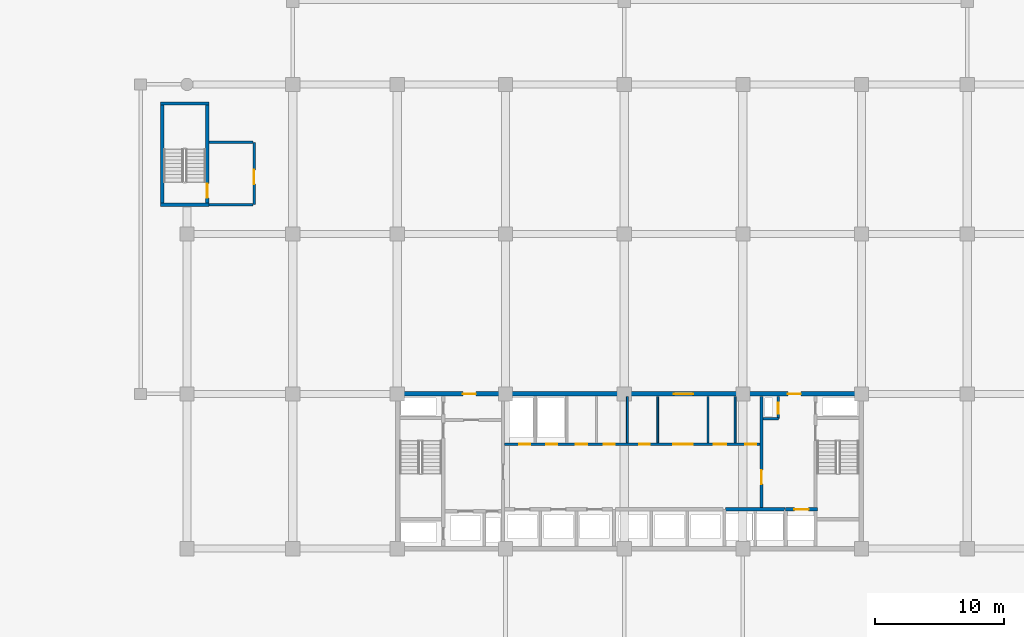
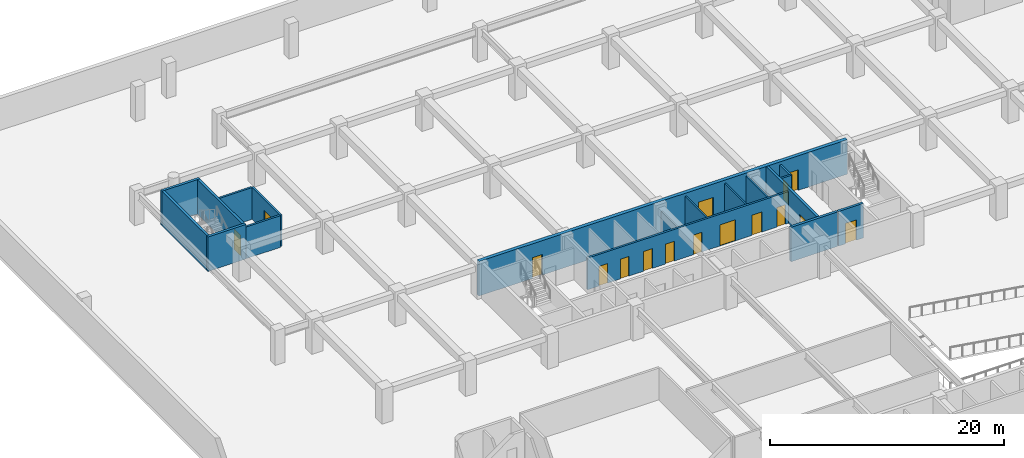
# One storey, part 10 of 22: 18 walls, 16 doors, 16 openings.
"""IFC4 building model written with IfcOpenShell, lengths in metres."""

from ifc_helpers import new_model, si_unit, direction, frame, frame_2d, origin, place, context, subcontext, project, spatial, rectangle, extrude, material, layer, layer_set, type_object, element, fill, save


model = new_model("IFC4")

# Units and contexts
model_context = context("Model", 3, precision=1e-05, world=origin(), true_north=direction((0.0, 1.0)))
body_context = subcontext(model_context, "Body", "Model", "MODEL_VIEW")
ifc_project = project(units=[si_unit("LENGTHUNIT", "METRE"), si_unit("AREAUNIT", "SQUARE_METRE"), si_unit("VOLUMEUNIT", "CUBIC_METRE"), si_unit("PLANEANGLEUNIT", "RADIAN"), si_unit("MASSUNIT", "GRAM", prefix="KILO")], contexts=[model_context])

# Site, building, storey
site_placement = place(None, origin())
site = spatial("IfcSite", under=ifc_project, at=site_placement, CompositionType="ELEMENT")
building_placement = place(site_placement, origin())
building = spatial("IfcBuilding", under=site, at=building_placement, Name="Korimba Cascade Residences", CompositionType="ELEMENT")
storey_placement = place(building_placement, frame((0.0, 0.0, -7.199951171875)))
storey = spatial("IfcBuildingStorey", under=building, at=storey_placement, Name="B02", CompositionType="ELEMENT", Elevation=-7.199951171875)

# Wall, openings, doors
ifc_material_1 = material(Name="Concrete C65/80", Category="concrete")
ifc_layer_1 = layer(ifc_material_1, 0.35009765625)
ifc_layer_set_1 = layer_set([ifc_layer_1], Name="Concrete C65/80")
wall_type_1 = type_object("IfcWallType", Name="WAL-CORE-350", PredefinedType="SHEAR", material=ifc_layer_set_1)
wall_1_placement = place(storey_placement, frame((75.949951171875, 67.199951171875, 0.0), z_axis=(0.0, 0.0, 1.0), x_axis=(1.0, 0.0, 0.0)))
wall_1 = element("IfcWall", 1, at=wall_1_placement, inside=storey, type_object=wall_type_1, Name="B02 Core Shear Wall CW-B02-T1-N", PredefinedType="SHEAR", context=body_context, shape_type="SweptSolid", body=[
    extrude(rectangle(XDim=36.300048828125, YDim=0.35009765625, at=frame_2d((18.14990234375, 0.0))), origin(), (0.0, 0.0, 1.0), 3.599853515625),
])
opening_1_placement = place(wall_1_placement, frame((5.25, 0.0, 0.0)))
opening_1 = element("IfcOpeningElement", 2, at=opening_1_placement, cuts=wall_1, Name="Opening D-FD5", PredefinedType="OPENING", context=body_context, shape_type="SweptSolid", body=[
    extrude(rectangle(XDim=1.0, YDim=2.14990234375, at=frame_2d((0.5, 1.074951171875))), frame((0.0, 0.18505859375, 0.0), z_axis=(0.0, -1.0, 0.0), x_axis=(1.0, 0.0, 0.0)), (0.0, 0.0, 1.0), 0.3701171875),
])
opening_2_placement = place(wall_1_placement, frame((21.60009765625, 0.0, 0.0)))
opening_2 = element("IfcOpeningElement", 3, at=opening_2_placement, cuts=wall_1, Name="Opening D-FD8", PredefinedType="OPENING", context=body_context, shape_type="SweptSolid", body=[
    extrude(rectangle(XDim=1.5, YDim=2.199951171875, at=frame_2d((0.75, 1.10009765625))), frame((0.0, 0.18505859375, 0.0), z_axis=(0.0, -1.0, 0.0), x_axis=(1.0, 0.0, 0.0)), (0.0, 0.0, 1.0), 0.3701171875),
])
opening_3_placement = place(wall_1_placement, frame((30.449951171875, 0.0, 0.0)))
opening_3 = element("IfcOpeningElement", 4, at=opening_3_placement, cuts=wall_1, Name="Opening D-FD5", PredefinedType="OPENING", context=body_context, shape_type="SweptSolid", body=[
    extrude(rectangle(XDim=1.0, YDim=2.14990234375, at=frame_2d((0.5, 1.074951171875))), frame((0.0, 0.18505859375, 0.0), z_axis=(0.0, -1.0, 0.0), x_axis=(1.0, 0.0, 0.0)), (0.0, 0.0, 1.0), 0.3701171875),
])
ifc_material_2 = material(Name="Fire-Rated Acoustic Timber Vestibule Door", Category="wood")
door_type_1 = type_object("IfcDoorType", Name="DR-FD90-1000", OperationType="NOTDEFINED", PredefinedType="DOOR", material=ifc_material_2)
door_1_placement = place(opening_1_placement, origin())
door_1 = element("IfcDoor", 5, at=door_1_placement, inside=storey, type_object=door_type_1, Name="B02 T1 West Core Vestibule Fire Door", OperationType="SINGLE_SWING_LEFT", OverallHeight=2.14990234375, OverallWidth=1.0, PredefinedType="DOOR", context=body_context, shape_type="SweptSolid", body=[
    extrude(rectangle(XDim=1.0, YDim=2.14990234375, at=frame_2d((0.5, 1.074951171875))), frame((0.0, 0.02490234375, 0.0), z_axis=(0.0, -1.0, 0.0), x_axis=(1.0, 0.0, 0.0)), (0.0, 0.0, 1.0), 0.050048828125),
])
fill(opening_1, door_1)
door_2_placement = place(opening_3_placement, origin())
door_2 = element("IfcDoor", 6, at=door_2_placement, inside=storey, type_object=door_type_1, Name="B02 T1 East Firefighting Vestibule Fire Door", OperationType="SINGLE_SWING_RIGHT", OverallHeight=2.14990234375, OverallWidth=1.0, PredefinedType="DOOR", context=body_context, shape_type="SweptSolid", body=[
    extrude(rectangle(XDim=1.0, YDim=2.14990234375, at=frame_2d((0.5, 1.074951171875))), frame((0.0, 0.02490234375, 0.0), z_axis=(0.0, -1.0, 0.0), x_axis=(1.0, 0.0, 0.0)), (0.0, 0.0, 1.0), 0.050048828125),
])
fill(opening_3, door_2)
ifc_material_3 = material(Name="Fire-Rated Glazed Lift Lobby Double Door", Category="glass")
door_type_2 = type_object("IfcDoorType", Name="DR-FD90-1500", OperationType="NOTDEFINED", PredefinedType="DOOR", material=ifc_material_3)
door_3_placement = place(opening_2_placement, origin())
door_3 = element("IfcDoor", 7, at=door_3_placement, inside=storey, type_object=door_type_2, Name="B02 T1 Lift Lobby Fire Door", OperationType="DOUBLE_DOOR_SINGLE_SWING", OverallHeight=2.199951171875, OverallWidth=1.5, PredefinedType="DOOR", context=body_context, shape_type="SweptSolid", body=[
    extrude(rectangle(XDim=1.5, YDim=2.199951171875, at=frame_2d((0.75, 1.10009765625))), frame((0.0, 0.02490234375, 0.0), z_axis=(0.0, -1.0, 0.0), x_axis=(1.0, 0.0, 0.0)), (0.0, 0.0, 1.0), 0.050048828125),
])
fill(opening_2, door_3)

# Walls
ifc_material_4 = material(Name="Insulated Acoustic Stud Partition", Category="gypsum")
ifc_layer_2 = layer(ifc_material_4, 0.14990234375)
ifc_layer_set_2 = layer_set([ifc_layer_2], Name="Insulated Acoustic Stud Partition")
wall_type_2 = type_object("IfcWallType", Name="WAL-PART-150", PredefinedType="PARTITIONING", material=ifc_layer_set_2)
wall_2_placement = place(storey_placement, frame((93.949951171875, 63.39990234375, 0.0), z_axis=(0.0, 0.0, 1.0), x_axis=(0.0, 1.0, 0.0)))
element("IfcWall", 8, at=wall_2_placement, inside=storey, type_object=wall_type_2, Name="B02 Partition Wall CW-B02-T1-CA1W2", PredefinedType="PARTITIONING", context=body_context, shape_type="SweptSolid", body=[
    extrude(rectangle(XDim=3.60009765625, YDim=0.14990234375, at=frame_2d((1.800048828125, 0.0))), origin(), (0.0, 0.0, 1.0), 2.550048828125),
])
for number, where, z_axis, x_axis, name in (
    (9, (102.300048828125, 63.39990234375, 0.0), (0.0, 0.0, 1.0), (0.0, 1.0, 0.0), "B02 Partition Wall CW-B02-T1-CA1E1"),
    (10, (96.300048828125, 63.39990234375, 0.0), (0.0, 0.0, 1.0), (0.0, 1.0, 0.0), "B02 Partition Wall CW-B02-T1-THW"),
    (11, (100.199951171875, 63.39990234375, 0.0), (0.0, 0.0, 1.0), (0.0, 1.0, 0.0), "B02 Partition Wall CW-B02-T1-THE"),
):
    element("IfcWall", number, at=place(storey_placement, frame(where, z_axis=z_axis, x_axis=x_axis)), inside=storey, type_object=wall_type_2, Name=name, PredefinedType="PARTITIONING", context=body_context, shape_type="SweptSolid", body=[
        extrude(rectangle(XDim=3.60009765625, YDim=0.14990234375, at=frame_2d((1.800048828125, 0.0))), origin(), (0.0, 0.0, 1.0), 3.300048828125),
    ])

# Wall, openings, doors
ifc_material_5 = material(Name="Concrete C40/50", Category="concrete")
ifc_layer_3 = layer(ifc_material_5, 0.199951171875)
ifc_layer_set_3 = layer_set([ifc_layer_3], Name="Concrete C40/50")
wall_type_3 = type_object("IfcWallType", Name="WAL-PART-200", PredefinedType="PARTITIONING", material=ifc_layer_set_3)
wall_3_placement = place(storey_placement, frame((84.419921875, 63.300048828125, 0.0), z_axis=(0.0, 0.0, 1.0), x_axis=(1.0, 0.0, 0.0)))
wall_3 = element("IfcWall", 12, at=wall_3_placement, inside=storey, type_object=wall_type_3, Name="B02 Partition Wall CW-B02-T1-SRVROW", PredefinedType="PARTITIONING", context=body_context, shape_type="SweptSolid", body=[
    extrude(rectangle(XDim=19.830078125, YDim=0.199951171875, at=frame_2d((9.9150390625, 0.0))), origin(), (0.0, 0.0, 1.0), 3.300048828125),
])
opening_4_placement = place(wall_3_placement, frame((1.14990234375, 0.0, 0.0)))
opening_4 = element("IfcOpeningElement", 13, at=opening_4_placement, cuts=wall_3, Name="Opening D-RS1", PredefinedType="OPENING", context=body_context, shape_type="SweptSolid", body=[
    extrude(rectangle(XDim=0.85009765625, YDim=2.050048828125, at=frame_2d((0.425048828125, 1.02490234375))), frame((0.0, 0.10986328125, 0.0), z_axis=(0.0, -1.0, 0.0), x_axis=(1.0, 0.0, 0.0)), (0.0, 0.0, 1.0), 0.219970703125),
])
opening_5_placement = place(wall_3_placement, frame((3.25, 0.0, 0.0)))
opening_5 = element("IfcOpeningElement", 14, at=opening_5_placement, cuts=wall_3, Name="Opening D-RS1", PredefinedType="OPENING", context=body_context, shape_type="SweptSolid", body=[
    extrude(rectangle(XDim=0.85009765625, YDim=2.050048828125, at=frame_2d((0.425048828125, 1.02490234375))), frame((0.0, 0.10986328125, 0.0), z_axis=(0.0, -1.0, 0.0), x_axis=(1.0, 0.0, 0.0)), (0.0, 0.0, 1.0), 0.219970703125),
])
opening_6_placement = place(wall_3_placement, frame((13.080078125, 0.0, 0.0)))
opening_6 = element("IfcOpeningElement", 15, at=opening_6_placement, cuts=wall_3, Name="Opening D-FD8", PredefinedType="OPENING", context=body_context, shape_type="SweptSolid", body=[
    extrude(rectangle(XDim=1.5, YDim=2.199951171875, at=frame_2d((0.75, 1.10009765625))), frame((0.0, 0.10986328125, 0.0), z_axis=(0.0, -1.0, 0.0), x_axis=(1.0, 0.0, 0.0)), (0.0, 0.0, 1.0), 0.219970703125),
])
opening_7_placement = place(wall_3_placement, frame((5.530029296875, 0.0, 0.0)))
opening_7 = element("IfcOpeningElement", 16, at=opening_7_placement, cuts=wall_3, Name="Opening D-IN2", PredefinedType="OPENING", context=body_context, shape_type="SweptSolid", body=[
    extrude(rectangle(XDim=0.8798828125, YDim=2.06005859375, at=frame_2d((0.43994140625, 1.030029296875))), frame((0.0, 0.10986328125, 0.0), z_axis=(0.0, -1.0, 0.0), x_axis=(1.0, 0.0, 0.0)), (0.0, 0.0, 1.0), 0.219970703125),
])
opening_8_placement = place(wall_3_placement, frame((7.679931640625, 0.0, 0.0)))
opening_8 = element("IfcOpeningElement", 17, at=opening_8_placement, cuts=wall_3, Name="Opening D-IN2", PredefinedType="OPENING", context=body_context, shape_type="SweptSolid", body=[
    extrude(rectangle(XDim=0.8798828125, YDim=2.06005859375, at=frame_2d((0.43994140625, 1.030029296875))), frame((0.0, 0.10986328125, 0.0), z_axis=(0.0, -1.0, 0.0), x_axis=(1.0, 0.0, 0.0)), (0.0, 0.0, 1.0), 0.219970703125),
])
opening_9_placement = place(wall_3_placement, frame((10.429931640625, 0.0, 0.0)))
opening_9 = element("IfcOpeningElement", 18, at=opening_9_placement, cuts=wall_3, Name="Opening D-RS1", PredefinedType="OPENING", context=body_context, shape_type="SweptSolid", body=[
    extrude(rectangle(XDim=0.85009765625, YDim=2.050048828125, at=frame_2d((0.425048828125, 1.02490234375))), frame((0.0, 0.10986328125, 0.0), z_axis=(0.0, -1.0, 0.0), x_axis=(1.0, 0.0, 0.0)), (0.0, 0.0, 1.0), 0.219970703125),
])
opening_10_placement = place(wall_3_placement, frame((16.22998046875, 0.0, 0.0)))
opening_10 = element("IfcOpeningElement", 19, at=opening_10_placement, cuts=wall_3, Name="Opening D-AC1", PredefinedType="OPENING", context=body_context, shape_type="SweptSolid", body=[
    extrude(rectangle(XDim=0.9599609375, YDim=2.10009765625, at=frame_2d((0.47998046875, 1.050048828125))), frame((0.0, 0.10986328125, 0.0), z_axis=(0.0, -1.0, 0.0), x_axis=(1.0, 0.0, 0.0)), (0.0, 0.0, 1.0), 0.219970703125),
])
opening_11_placement = place(wall_3_placement, frame((18.679931640625, 0.0, 0.0)))
opening_11 = element("IfcOpeningElement", 20, at=opening_11_placement, cuts=wall_3, Name="Opening D-BT1", PredefinedType="OPENING", context=body_context, shape_type="SweptSolid", body=[
    extrude(rectangle(XDim=0.840087890625, YDim=2.0400390625, at=frame_2d((0.419921875, 1.02001953125))), frame((0.0, 0.10986328125, 0.0), z_axis=(0.0, -1.0, 0.0), x_axis=(1.0, 0.0, 0.0)), (0.0, 0.0, 1.0), 0.219970703125),
])
ifc_material_6 = material(Name="Accessible Acoustic Timber WC Door", Category="wood")
door_type_3 = type_object("IfcDoorType", Name="DR-ACC-950", OperationType="NOTDEFINED", PredefinedType="DOOR", material=ifc_material_6)
door_4_placement = place(opening_10_placement, origin())
door_4 = element("IfcDoor", 21, at=door_4_placement, inside=storey, type_object=door_type_3, Name="B02 Accessible Staff WC Door", OperationType="SINGLE_SWING_RIGHT", OverallHeight=2.10009765625, OverallWidth=0.9599609375, PredefinedType="DOOR", context=body_context, shape_type="SweptSolid", body=[
    extrude(rectangle(XDim=0.9599609375, YDim=2.10009765625, at=frame_2d((0.47998046875, 1.050048828125))), frame((0.0, 0.02490234375, 0.0), z_axis=(0.0, -1.0, 0.0), x_axis=(1.0, 0.0, 0.0)), (0.0, 0.0, 1.0), 0.050048828125),
])
fill(opening_10, door_4)
ifc_material_7 = material(Name="Fire-Rated Steel Riser Access Door", Category="steel")
door_type_4 = type_object("IfcDoorType", Name="DR-FD60-850", OperationType="NOTDEFINED", PredefinedType="DOOR", material=ifc_material_7)
door_5_placement = place(opening_4_placement, origin())
door_5 = element("IfcDoor", 22, at=door_5_placement, inside=storey, type_object=door_type_4, Name="B02 Electrical Riser Door", OperationType="SINGLE_SWING_LEFT", OverallHeight=2.050048828125, OverallWidth=0.85009765625, PredefinedType="DOOR", context=body_context, shape_type="SweptSolid", body=[
    extrude(rectangle(XDim=0.85009765625, YDim=2.050048828125, at=frame_2d((0.425048828125, 1.02490234375))), frame((0.0, 0.02490234375, 0.0), z_axis=(0.0, -1.0, 0.0), x_axis=(1.0, 0.0, 0.0)), (0.0, 0.0, 1.0), 0.050048828125),
])
fill(opening_4, door_5)
door_6_placement = place(opening_5_placement, origin())
door_6 = element("IfcDoor", 23, at=door_6_placement, inside=storey, type_object=door_type_4, Name="B02 Plumbing Riser Door", OperationType="SINGLE_SWING_RIGHT", OverallHeight=2.050048828125, OverallWidth=0.85009765625, PredefinedType="DOOR", context=body_context, shape_type="SweptSolid", body=[
    extrude(rectangle(XDim=0.85009765625, YDim=2.050048828125, at=frame_2d((0.425048828125, 1.02490234375))), frame((0.0, 0.02490234375, 0.0), z_axis=(0.0, -1.0, 0.0), x_axis=(1.0, 0.0, 0.0)), (0.0, 0.0, 1.0), 0.050048828125),
])
fill(opening_5, door_6)
door_7_placement = place(opening_9_placement, origin())
door_7 = element("IfcDoor", 24, at=door_7_placement, inside=storey, type_object=door_type_4, Name="B02 IT Room Door", OperationType="SINGLE_SWING_LEFT", OverallHeight=2.050048828125, OverallWidth=0.85009765625, PredefinedType="DOOR", context=body_context, shape_type="SweptSolid", body=[
    extrude(rectangle(XDim=0.85009765625, YDim=2.050048828125, at=frame_2d((0.425048828125, 1.02490234375))), frame((0.0, 0.02490234375, 0.0), z_axis=(0.0, -1.0, 0.0), x_axis=(1.0, 0.0, 0.0)), (0.0, 0.0, 1.0), 0.050048828125),
])
fill(opening_9, door_7)
door_8_placement = place(opening_6_placement, origin())
door_8 = element("IfcDoor", 25, at=door_8_placement, inside=storey, type_object=door_type_2, Name="B02 Lift Lobby Foyer Archway Door", OperationType="DOUBLE_DOOR_SINGLE_SWING", OverallHeight=2.199951171875, OverallWidth=1.5, PredefinedType="DOOR", context=body_context, shape_type="SweptSolid", body=[
    extrude(rectangle(XDim=1.5, YDim=2.199951171875, at=frame_2d((0.75, 1.10009765625))), frame((0.0, 0.02490234375, 0.0), z_axis=(0.0, -1.0, 0.0), x_axis=(1.0, 0.0, 0.0)), (0.0, 0.0, 1.0), 0.050048828125),
])
fill(opening_6, door_8)
ifc_material_8 = material(Name="Moisture-Resistant Bathroom Timber Door", Category="wood")
door_type_5 = type_object("IfcDoorType", Name="DR-INT-850", OperationType="NOTDEFINED", PredefinedType="DOOR", material=ifc_material_8)
door_9_placement = place(opening_11_placement, origin())
door_9 = element("IfcDoor", 26, at=door_9_placement, inside=storey, type_object=door_type_5, Name="B02 Vending Room Door", OperationType="SINGLE_SWING_LEFT", OverallHeight=2.0400390625, OverallWidth=0.840087890625, PredefinedType="DOOR", context=body_context, shape_type="SweptSolid", body=[
    extrude(rectangle(XDim=0.840087890625, YDim=2.0400390625, at=frame_2d((0.419921875, 1.02001953125))), frame((0.0, 0.02490234375, 0.0), z_axis=(0.0, -1.0, 0.0), x_axis=(1.0, 0.0, 0.0)), (0.0, 0.0, 1.0), 0.050048828125),
])
fill(opening_11, door_9)
ifc_material_9 = material(Name="Acoustic Timber Bedroom Door", Category="wood")
door_type_6 = type_object("IfcDoorType", Name="DR-INT-880", OperationType="NOTDEFINED", PredefinedType="DOOR", material=ifc_material_9)
door_10_placement = place(opening_7_placement, origin())
door_10 = element("IfcDoor", 27, at=door_10_placement, inside=storey, type_object=door_type_6, Name="B02 Cleaners Door", OperationType="SINGLE_SWING_LEFT", OverallHeight=2.06005859375, OverallWidth=0.8798828125, PredefinedType="DOOR", context=body_context, shape_type="SweptSolid", body=[
    extrude(rectangle(XDim=0.8798828125, YDim=2.06005859375, at=frame_2d((0.43994140625, 1.030029296875))), frame((0.0, 0.02490234375, 0.0), z_axis=(0.0, -1.0, 0.0), x_axis=(1.0, 0.0, 0.0)), (0.0, 0.0, 1.0), 0.050048828125),
])
fill(opening_7, door_10)
door_11_placement = place(opening_8_placement, origin())
door_11 = element("IfcDoor", 28, at=door_11_placement, inside=storey, type_object=door_type_6, Name="B02 Pantry Door", OperationType="SINGLE_SWING_RIGHT", OverallHeight=2.06005859375, OverallWidth=0.8798828125, PredefinedType="DOOR", context=body_context, shape_type="SweptSolid", body=[
    extrude(rectangle(XDim=0.8798828125, YDim=2.06005859375, at=frame_2d((0.43994140625, 1.030029296875))), frame((0.0, 0.02490234375, 0.0), z_axis=(0.0, -1.0, 0.0), x_axis=(1.0, 0.0, 0.0)), (0.0, 0.0, 1.0), 0.050048828125),
])
fill(opening_8, door_11)

# Wall
wall_4_placement = place(storey_placement, frame((104.449951171875, 65.280029296875, 0.0), z_axis=(0.0, 0.0, 1.0), x_axis=(1.0, 0.0, 0.0)))
element("IfcWall", 29, at=wall_4_placement, inside=storey, type_object=wall_type_3, Name="B02 Partition Wall CW-B02-T1-HYDW2S", PredefinedType="PARTITIONING", context=body_context, shape_type="SweptSolid", body=[
    extrude(rectangle(XDim=1.199951171875, YDim=0.199951171875, at=frame_2d((0.60009765625, 0.0))), origin(), (0.0, 0.0, 1.0), 3.300048828125),
])

# Wall, opening, door
wall_5_placement = place(storey_placement, frame((105.64990234375, 65.280029296875, 0.0), z_axis=(0.0, 0.0, 1.0), x_axis=(0.0, 1.0, 0.0)))
wall_5 = element("IfcWall", 30, at=wall_5_placement, inside=storey, type_object=wall_type_3, Name="B02 Partition Wall CW-B02-T1-HYDW2E", PredefinedType="PARTITIONING", context=body_context, shape_type="SweptSolid", body=[
    extrude(rectangle(XDim=1.719970703125, YDim=0.199951171875, at=frame_2d((0.85986328125, 0.0))), origin(), (0.0, 0.0, 1.0), 3.300048828125),
])
opening_12_placement = place(wall_5_placement, frame((0.39990234375, 0.0, 0.0)))
opening_12 = element("IfcOpeningElement", 31, at=opening_12_placement, cuts=wall_5, Name="Opening D-RS1", PredefinedType="OPENING", context=body_context, shape_type="SweptSolid", body=[
    extrude(rectangle(XDim=0.85009765625, YDim=2.050048828125, at=frame_2d((0.425048828125, 1.02490234375))), frame((0.0, 0.10986328125, 0.0), z_axis=(0.0, -1.0, 0.0), x_axis=(1.0, 0.0, 0.0)), (0.0, 0.0, 1.0), 0.219970703125),
])
door_12_placement = place(opening_12_placement, origin())
door_12 = element("IfcDoor", 32, at=door_12_placement, inside=storey, type_object=door_type_4, Name="B02 East Hydrant Door", OperationType="SINGLE_SWING_RIGHT", OverallHeight=2.050048828125, OverallWidth=0.85009765625, PredefinedType="DOOR", context=body_context, shape_type="SweptSolid", body=[
    extrude(rectangle(XDim=0.85009765625, YDim=2.050048828125, at=frame_2d((0.425048828125, 1.02490234375))), frame((0.0, 0.02490234375, 0.0), z_axis=(0.0, -1.0, 0.0), x_axis=(1.0, 0.0, 0.0)), (0.0, 0.0, 1.0), 0.050048828125),
])
fill(opening_12, door_12)

wall_6_placement = place(storey_placement, frame((65.0, 81.875, 0.0), z_axis=(0.0, 0.0, 1.0), x_axis=(0.0, 1.0, 0.0)))
wall_6 = element("IfcWall", 33, at=wall_6_placement, inside=storey, type_object=wall_type_3, Name="B02 Partition Wall CW-B02-PL5E", PredefinedType="PARTITIONING", context=body_context, shape_type="SweptSolid", body=[
    extrude(rectangle(XDim=4.824951171875, YDim=0.199951171875, at=frame_2d((2.41259765625, 0.0))), origin(), (0.0, 0.0, 1.0), 3.300048828125),
])
opening_13_placement = place(wall_6_placement, frame((1.60009765625, 0.0, 0.0)))
opening_13 = element("IfcOpeningElement", 34, at=opening_13_placement, cuts=wall_6, Name="Opening D-FD6", PredefinedType="OPENING", context=body_context, shape_type="SweptSolid", body=[
    extrude(rectangle(XDim=1.10009765625, YDim=2.14990234375, at=frame_2d((0.550048828125, 1.074951171875))), frame((0.0, 0.10986328125, 0.0), z_axis=(0.0, -1.0, 0.0), x_axis=(1.0, 0.0, 0.0)), (0.0, 0.0, 1.0), 0.219970703125),
])
ifc_material_10 = material(Name="Fire-Rated Timber Stair Lobby Door", Category="wood")
door_type_7 = type_object("IfcDoorType", Name="DR-FD90-1100", OperationType="NOTDEFINED", PredefinedType="DOOR", material=ifc_material_10)
door_13_placement = place(opening_13_placement, origin())
door_13 = element("IfcDoor", 35, at=door_13_placement, inside=storey, type_object=door_type_7, Name="B02 North-West Stair Vestibule Door", OperationType="SINGLE_SWING_LEFT", OverallHeight=2.14990234375, OverallWidth=1.10009765625, PredefinedType="DOOR", context=body_context, shape_type="SweptSolid", body=[
    extrude(rectangle(XDim=1.10009765625, YDim=2.14990234375, at=frame_2d((0.550048828125, 1.074951171875))), frame((0.0, 0.02490234375, 0.0), z_axis=(0.0, -1.0, 0.0), x_axis=(1.0, 0.0, 0.0)), (0.0, 0.0, 1.0), 0.050048828125),
])
fill(opening_13, door_13)

# Walls
for number, where, z_axis, x_axis, name in (
    (36, (61.5, 81.875, 0.0), (0.0, 0.0, 1.0), (1.0, 0.0, 0.0), "B02 Partition Wall CW-B02-PL5S"),
    (37, (61.5, 86.699951171875, 0.0), (0.0, 0.0, 1.0), (1.0, 0.0, 0.0), "B02 Partition Wall CW-B02-PL5N"),
):
    element("IfcWall", number, at=place(storey_placement, frame(where, z_axis=z_axis, x_axis=x_axis)), inside=storey, type_object=wall_type_3, Name=name, PredefinedType="PARTITIONING", context=body_context, shape_type="SweptSolid", body=[
        extrude(rectangle(XDim=3.39990234375, YDim=0.199951171875, at=frame_2d((1.699951171875, 0.0))), origin(), (0.0, 0.0, 1.0), 3.300048828125),
    ])
ifc_material_11 = material(Name="Concrete C50/60", Category="concrete")
ifc_layer_4 = layer(ifc_material_11, 0.25)
ifc_layer_set_4 = layer_set([ifc_layer_4], Name="Concrete C50/60")
wall_type_4 = type_object("IfcWallType", Name="WAL-SHAFT-250", PredefinedType="SHEAR", material=ifc_layer_set_4)
wall_7_placement = place(storey_placement, frame((101.550048828125, 58.25, 0.0), z_axis=(0.0, 0.0, 1.0), x_axis=(1.0, 0.0, 0.0)))
element("IfcWall", 38, at=wall_7_placement, inside=storey, type_object=wall_type_4, Name="B02 Core Shear Wall CW-B02-T1-B3N", PredefinedType="SHEAR", context=body_context, shape_type="SweptSolid", body=[
    extrude(rectangle(XDim=4.599853515625, YDim=0.25, at=frame_2d((2.2998046875, 0.0))), origin(), (0.0, 0.0, 1.0), 3.599853515625),
])

# Wall, opening, door
wall_8_placement = place(storey_placement, frame((106.219970703125, 58.25, 0.0), z_axis=(0.0, 0.0, 1.0), x_axis=(1.0, 0.0, 0.0)))
wall_8 = element("IfcWall", 39, at=wall_8_placement, inside=storey, type_object=wall_type_4, Name="B02 Core Shear Wall CW-B02-T1-FF2N", PredefinedType="SHEAR", context=body_context, shape_type="SweptSolid", body=[
    extrude(rectangle(XDim=2.4599609375, YDim=0.25, at=frame_2d((1.22998046875, 0.0))), origin(), (0.0, 0.0, 1.0), 3.599853515625),
])
opening_14_placement = place(wall_8_placement, frame((0.669921875, 0.0, 0.0)))
opening_14 = element("IfcOpeningElement", 40, at=opening_14_placement, cuts=wall_8, Name="Opening LD-01", PredefinedType="OPENING", context=body_context, shape_type="SweptSolid", body=[
    extrude(rectangle(XDim=1.1201171875, YDim=2.1201171875, at=frame_2d((0.56005859375, 1.06005859375))), frame((0.0, 0.135009765625, 0.0), z_axis=(0.0, -1.0, 0.0), x_axis=(1.0, 0.0, 0.0)), (0.0, 0.0, 1.0), 0.27001953125),
])
ifc_material_12 = material(Name="Stainless Steel Lift Landing Sliding Door", Category="steel")
door_type_8 = type_object("IfcDoorType", Name="DR-LIFT-1100", OperationType="NOTDEFINED", PredefinedType="DOOR", material=ifc_material_12)
door_14_placement = place(opening_14_placement, origin())
door_14 = element("IfcDoor", 41, at=door_14_placement, inside=storey, type_object=door_type_8, Name="B02 Firefighting Lift Landing Door FFL-W2", OperationType="SLIDING_TO_RIGHT", OverallHeight=2.1201171875, OverallWidth=1.1201171875, PredefinedType="DOOR", context=body_context, shape_type="SweptSolid", body=[
    extrude(rectangle(XDim=1.1201171875, YDim=2.1201171875, at=frame_2d((0.56005859375, 1.06005859375))), frame((0.0, 0.02490234375, 0.0), z_axis=(0.0, -1.0, 0.0), x_axis=(1.0, 0.0, 0.0)), (0.0, 0.0, 1.0), 0.050048828125),
])
fill(opening_14, door_14)

wall_9_placement = place(storey_placement, frame((104.35009765625, 58.39990234375, 0.0), z_axis=(0.0, 0.0, 1.0), x_axis=(0.0, 1.0, 0.0)))
wall_9 = element("IfcWall", 42, at=wall_9_placement, inside=storey, type_object=wall_type_4, Name="B02 Core Shear Wall CW-B02-T1-LLEV", PredefinedType="SHEAR", context=body_context, shape_type="SweptSolid", body=[
    extrude(rectangle(XDim=8.60009765625, YDim=0.25, at=frame_2d((4.300048828125, 0.0))), origin(), (0.0, 0.0, 1.0), 3.599853515625),
])
opening_15_placement = place(wall_9_placement, frame((1.800048828125, 0.0, 0.0)))
opening_15 = element("IfcOpeningElement", 43, at=opening_15_placement, cuts=wall_9, Name="Opening D-FD1", PredefinedType="OPENING", context=body_context, shape_type="SweptSolid", body=[
    extrude(rectangle(XDim=1.10009765625, YDim=2.10009765625, at=frame_2d((0.550048828125, 1.050048828125))), frame((0.0, 0.135009765625, 0.0), z_axis=(0.0, -1.0, 0.0), x_axis=(1.0, 0.0, 0.0)), (0.0, 0.0, 1.0), 0.27001953125),
])
ifc_material_13 = material(Name="Fire-Rated Steel Core Door", Category="steel")
door_type_9 = type_object("IfcDoorType", Name="DR-FD120-1100", OperationType="NOTDEFINED", PredefinedType="DOOR", material=ifc_material_13)
door_15_placement = place(opening_15_placement, origin())
door_15 = element("IfcDoor", 44, at=door_15_placement, inside=storey, type_object=door_type_9, Name="B02 Lift Lobby to East Firefighting Lobby Door", OperationType="SINGLE_SWING_LEFT", OverallHeight=2.10009765625, OverallWidth=1.10009765625, PredefinedType="DOOR", context=body_context, shape_type="SweptSolid", body=[
    extrude(rectangle(XDim=1.10009765625, YDim=2.10009765625, at=frame_2d((0.550048828125, 1.050048828125))), frame((0.0, 0.02490234375, 0.0), z_axis=(0.0, -1.0, 0.0), x_axis=(1.0, 0.0, 0.0)), (0.0, 0.0, 1.0), 0.050048828125),
])
fill(opening_15, door_15)

# Walls
wall_10_placement = place(storey_placement, frame((57.875, 82.0, 0.0), z_axis=(0.0, 0.0, 1.0), x_axis=(0.0, 1.0, 0.0)))
element("IfcWall", 45, at=wall_10_placement, inside=storey, type_object=wall_type_4, Name="B02 Core Shear Wall CW-B02-STP5W", PredefinedType="SHEAR", context=body_context, shape_type="SweptSolid", body=[
    extrude(rectangle(XDim=7.60009765625, YDim=0.25, at=frame_2d((3.800048828125, 0.0))), origin(), (0.0, 0.0, 1.0), 3.599853515625),
])
for number, where, z_axis, x_axis, name in (
    (46, (57.75, 81.875, 0.0), (0.0, 0.0, 1.0), (1.0, 0.0, 0.0), "B02 Core Shear Wall CW-B02-STP5S"),
    (47, (57.75, 89.72509765625, 0.0), (0.0, 0.0, 1.0), (1.0, 0.0, 0.0), "B02 Core Shear Wall CW-B02-STP5N"),
):
    element("IfcWall", number, at=place(storey_placement, frame(where, z_axis=z_axis, x_axis=x_axis)), inside=storey, type_object=wall_type_4, Name=name, PredefinedType="SHEAR", context=body_context, shape_type="SweptSolid", body=[
        extrude(rectangle(XDim=3.739990234375, YDim=0.25, at=frame_2d((1.8701171875, 0.0))), origin(), (0.0, 0.0, 1.0), 3.599853515625),
    ])

# Wall, opening, door
wall_11_placement = place(storey_placement, frame((61.364990234375, 82.0, 0.0), z_axis=(0.0, 0.0, 1.0), x_axis=(0.0, 1.0, 0.0)))
wall_11 = element("IfcWall", 48, at=wall_11_placement, inside=storey, type_object=wall_type_4, Name="B02 Core Shear Wall CW-B02-STP5E", PredefinedType="SHEAR", context=body_context, shape_type="SweptSolid", body=[
    extrude(rectangle(XDim=7.60009765625, YDim=0.25, at=frame_2d((3.800048828125, 0.0))), origin(), (0.0, 0.0, 1.0), 3.599853515625),
])
opening_16_placement = place(wall_11_placement, frame((0.39990234375, 0.0, 0.0)))
opening_16 = element("IfcOpeningElement", 49, at=opening_16_placement, cuts=wall_11, Name="Opening D-FD1", PredefinedType="OPENING", context=body_context, shape_type="SweptSolid", body=[
    extrude(rectangle(XDim=1.10009765625, YDim=2.10009765625, at=frame_2d((0.550048828125, 1.050048828125))), frame((0.0, 0.135009765625, 0.0), z_axis=(0.0, -1.0, 0.0), x_axis=(1.0, 0.0, 0.0)), (0.0, 0.0, 1.0), 0.27001953125),
])
door_16_placement = place(opening_16_placement, origin())
door_16 = element("IfcDoor", 50, at=door_16_placement, inside=storey, type_object=door_type_9, Name="B02 Podium Stair ST-P5 Door", OperationType="SINGLE_SWING_RIGHT", OverallHeight=2.10009765625, OverallWidth=1.10009765625, PredefinedType="DOOR", context=body_context, shape_type="SweptSolid", body=[
    extrude(rectangle(XDim=1.10009765625, YDim=2.10009765625, at=frame_2d((0.550048828125, 1.050048828125))), frame((0.0, 0.02490234375, 0.0), z_axis=(0.0, -1.0, 0.0), x_axis=(1.0, 0.0, 0.0)), (0.0, 0.0, 1.0), 0.050048828125),
])
fill(opening_16, door_16)

save(model, "model.ifc")
